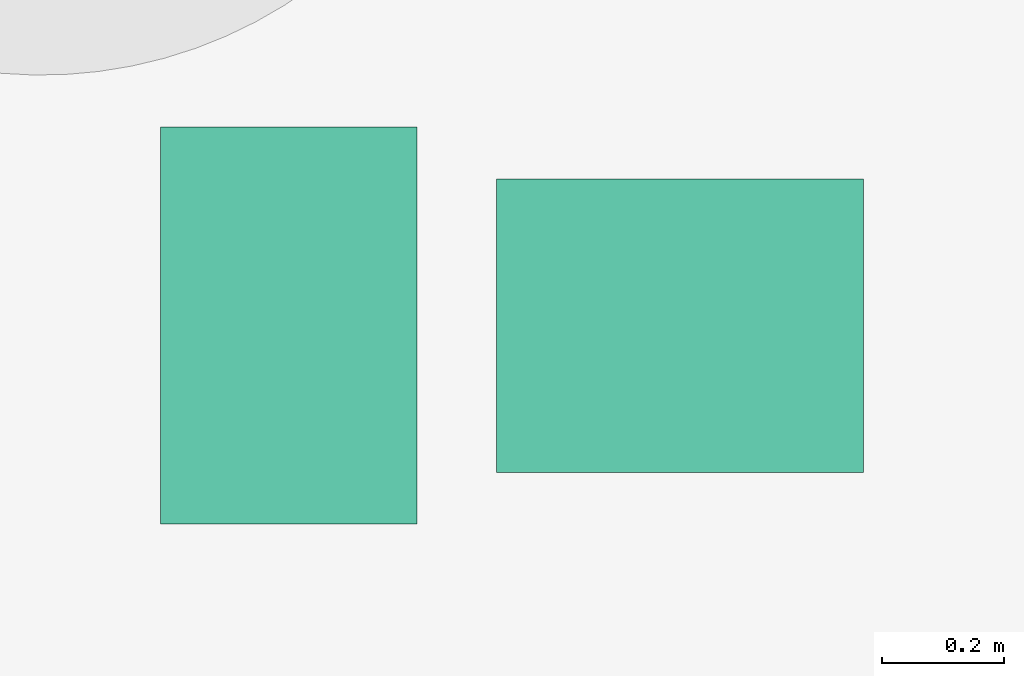
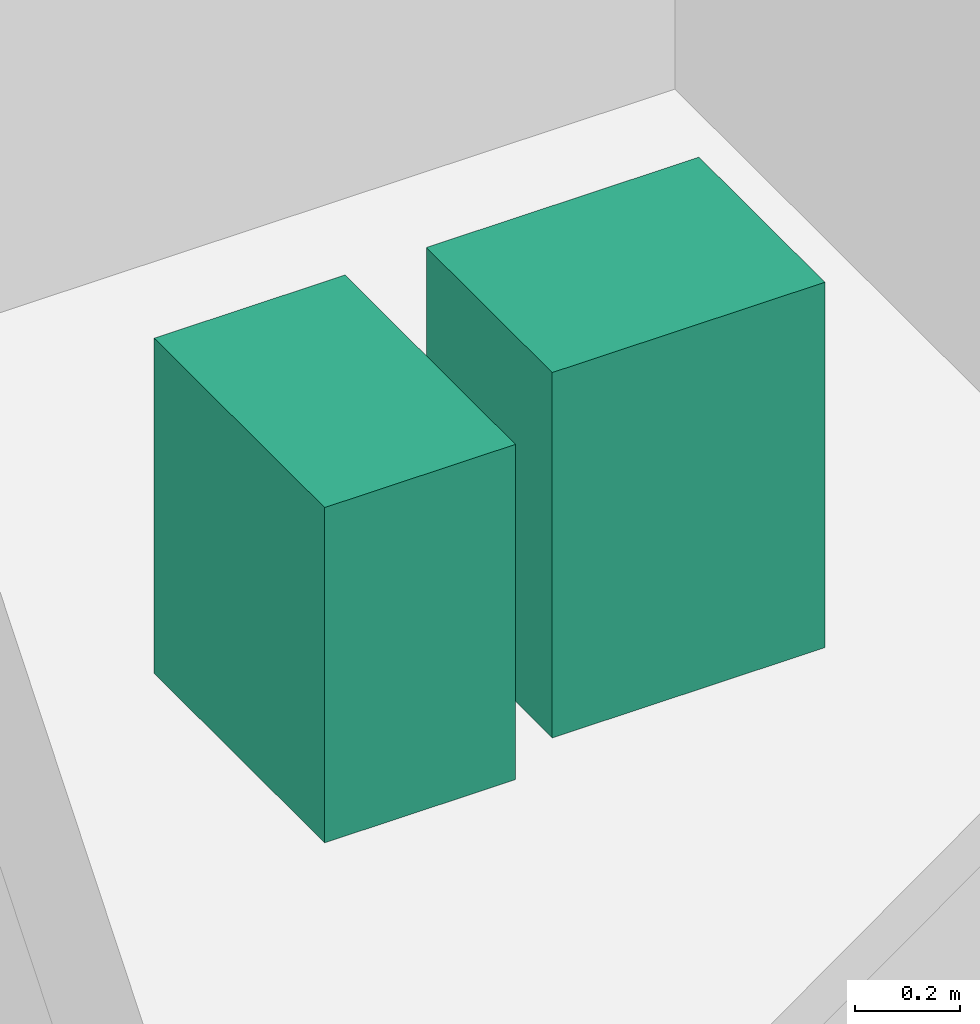
# One storey, part 7 of 8: 2 sanitary terminals.
"""IFC4 building model written with IfcOpenShell, lengths in metres."""

from ifc_helpers import new_model, si_unit, direction, frame, origin, origin_2d, place, context, subcontext, project, spatial, rectangle, extrude, material, type_object, element, save


model = new_model("IFC4")

# Units and contexts
model_context = context("Model", 3, precision=1e-05, world=origin(), true_north=direction((0.0, 1.0)))
body_context = subcontext(model_context, "Body", "Model", "MODEL_VIEW")
ifc_project = project(units=[si_unit("LENGTHUNIT", "METRE"), si_unit("AREAUNIT", "SQUARE_METRE"), si_unit("VOLUMEUNIT", "CUBIC_METRE"), si_unit("PLANEANGLEUNIT", "RADIAN"), si_unit("MASSUNIT", "GRAM", prefix="KILO")], contexts=[model_context])

# Site, building, storey
site_placement = place(None, origin())
site = spatial("IfcSite", under=ifc_project, at=site_placement, CompositionType="ELEMENT")
building_placement = place(site_placement, origin())
building = spatial("IfcBuilding", under=site, at=building_placement, Name="Solmavex Isthmus Hotel", CompositionType="ELEMENT")
storey_placement = place(building_placement, frame((0.0, 0.0, -10.0)))
storey = spatial("IfcBuildingStorey", under=building, at=storey_placement, Name="B02", CompositionType="ELEMENT", Elevation=-10.0)

# Sanitary terminals
ifc_material = material(Name="Vitreous china ceramic", Category="ceramic")
sanitary_terminal_type_1 = type_object("IfcSanitaryTerminalType", Name="SAN-BASIN", PredefinedType="WASHHANDBASIN", material=ifc_material)
sanitary_terminal_1_placement = place(storey_placement, frame((3.294921875, -4.409912109375, 0.0), z_axis=(0.0, 0.0, 1.0), x_axis=(1.0, 0.0, 0.0)))
element("IfcSanitaryTerminal", 1, at=sanitary_terminal_1_placement, inside=storey, type_object=sanitary_terminal_type_1, Name="Vanity Washbasin B02-1", PredefinedType="WASHHANDBASIN", context=body_context, shape_type="SweptSolid", body=[
    extrude(rectangle(XDim=0.60009765625, YDim=0.47998046875, at=origin_2d()), origin(), (0.0, 0.0, 1.0), 0.85009765625),
])
sanitary_terminal_type_2 = type_object("IfcSanitaryTerminalType", Name="SAN-WC-SUITE", PredefinedType="TOILETPAN", material=ifc_material)
sanitary_terminal_2_placement = place(storey_placement, frame((2.655029296875, -4.409912109375, 0.0), z_axis=(0.0, 0.0, 1.0), x_axis=(1.0, 0.0, 0.0)))
element("IfcSanitaryTerminal", 2, at=sanitary_terminal_2_placement, inside=storey, type_object=sanitary_terminal_type_2, Name="Water Closet B02-1", PredefinedType="TOILETPAN", context=body_context, shape_type="SweptSolid", body=[
    extrude(rectangle(XDim=0.419921875, YDim=0.64990234375, at=origin_2d()), origin(), (0.0, 0.0, 1.0), 0.780029296875),
])

save(model, "model.ifc")
